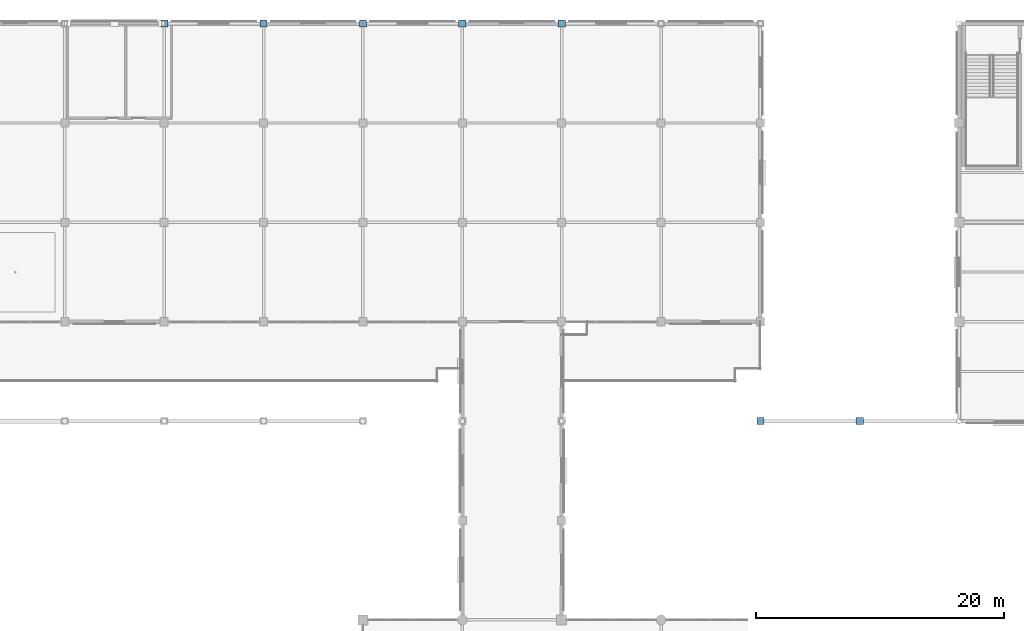
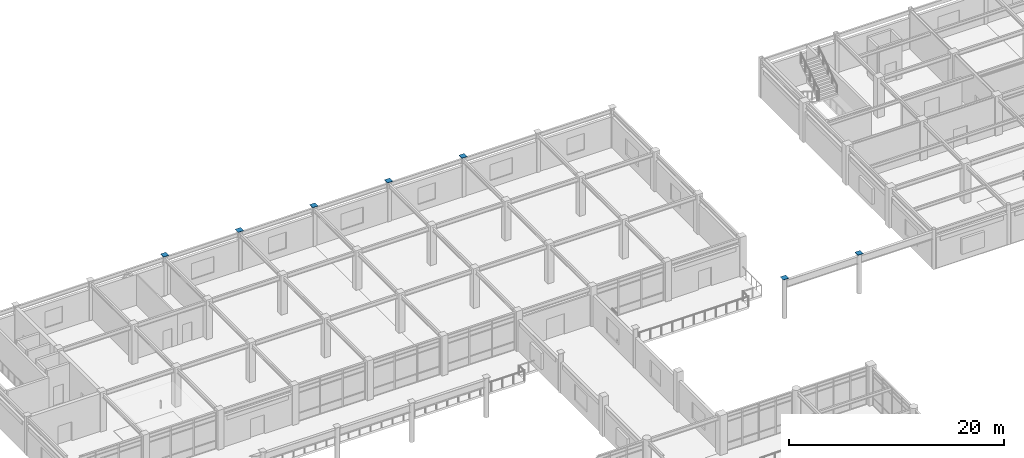
# One storey, part 69 of 78: 7 discrete accessories.
"""IFC4 building model written with IfcOpenShell, lengths in metres."""

from ifc_helpers import new_model, si_unit, direction, frame, origin, origin_2d, place, context, subcontext, project, spatial, rectangle, extrude, material, layer, layer_set, type_object, element, save


model = new_model("IFC4")

# Units and contexts
model_context = context("Model", 3, precision=1e-05, world=origin(), true_north=direction((0.0, 1.0)))
body_context = subcontext(model_context, "Body", "Model", "MODEL_VIEW")
ifc_project = project(units=[si_unit("LENGTHUNIT", "METRE"), si_unit("AREAUNIT", "SQUARE_METRE"), si_unit("VOLUMEUNIT", "CUBIC_METRE"), si_unit("PLANEANGLEUNIT", "RADIAN"), si_unit("MASSUNIT", "GRAM", prefix="KILO")], contexts=[model_context])

# Site, building, storey
site_placement = place(None, origin())
site = spatial("IfcSite", under=ifc_project, at=site_placement, CompositionType="ELEMENT")
building_placement = place(site_placement, origin())
building = spatial("IfcBuilding", under=site, at=building_placement, Name="Solmirada Galleria", CompositionType="ELEMENT")
storey_placement = place(building_placement, frame((0.0, 0.0, 23.89990234375)))
storey = spatial("IfcBuildingStorey", under=building, at=storey_placement, Name="L05", CompositionType="ELEMENT", Elevation=23.89990234375)

# Discrete accessories
ifc_material = material(Name="Steel S355 / ASTM A572 Grade 50", Category="steel")
ifc_layer = layer(ifc_material, 0.031982421875)
ifc_layer_set = layer_set([ifc_layer], Name="Steel S355 / ASTM A572 Grade 50")
discrete_accessory_type = type_object("IfcDiscreteAccessoryType", Name="ACC-COL-CAP", PredefinedType="BRACKET", material=ifc_layer_set)
for number, where, z_axis, x_axis, name in (
    (1, (64.0, 120.0, 4.494140625), (0.0, 0.0, 1.0), (1.0, 0.0, 0.0), "Hollow column cap plate L05-0277"),
    (2, (72.0, 120.0, 4.494140625), (0.0, 0.0, 1.0), (1.0, 0.0, 0.0), "Hollow column cap plate L05-0344"),
    (3, (80.0, 120.0, 4.494140625), (0.0, 0.0, 1.0), (1.0, 0.0, 0.0), "Hollow column cap plate L05-0461"),
    (4, (88.0, 120.0, 4.494140625), (0.0, 0.0, 1.0), (1.0, 0.0, 0.0), "Hollow column cap plate L05-0583"),
    (5, (96.0, 120.0, 4.494140625), (0.0, 0.0, 1.0), (1.0, 0.0, 0.0), "Hollow column cap plate L05-0691"),
    (6, (112.0, 88.0, 4.494140625), (0.0, 0.0, 1.0), (1.0, 0.0, 0.0), "Hollow column cap plate L05-0891"),
    (7, (120.0, 88.0, 4.494140625), (0.0, 0.0, 1.0), (1.0, 0.0, 0.0), "Hollow column cap plate L05-0982"),
):
    element("IfcDiscreteAccessory", number, at=place(storey_placement, frame(where, z_axis=z_axis, x_axis=x_axis)), inside=storey, type_object=discrete_accessory_type, Name=name, PredefinedType="BRACKET", context=body_context, shape_type="SweptSolid", body=[
        extrude(rectangle(XDim=0.580078125, YDim=0.580078125, at=origin_2d()), origin(), (0.0, 0.0, 1.0), 0.035888671875),
    ])

save(model, "model.ifc")
